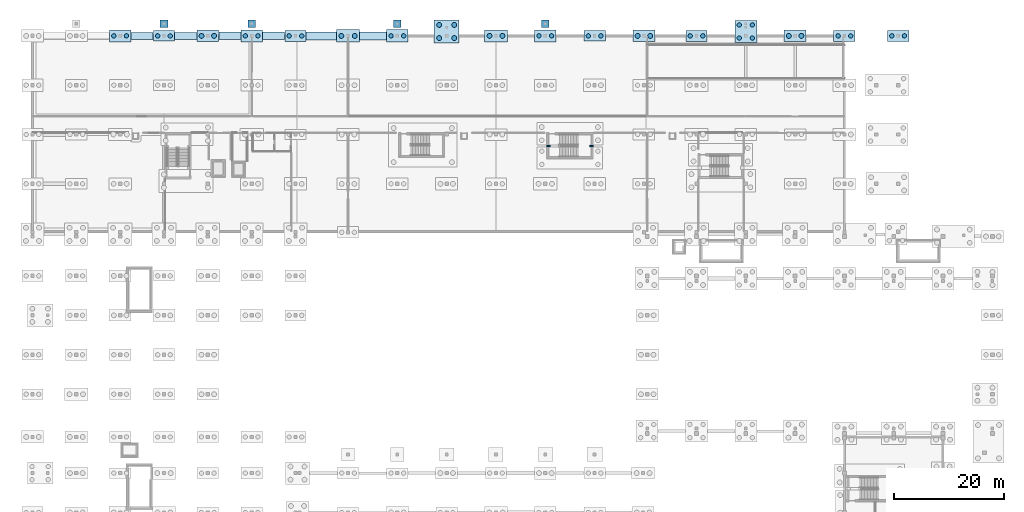
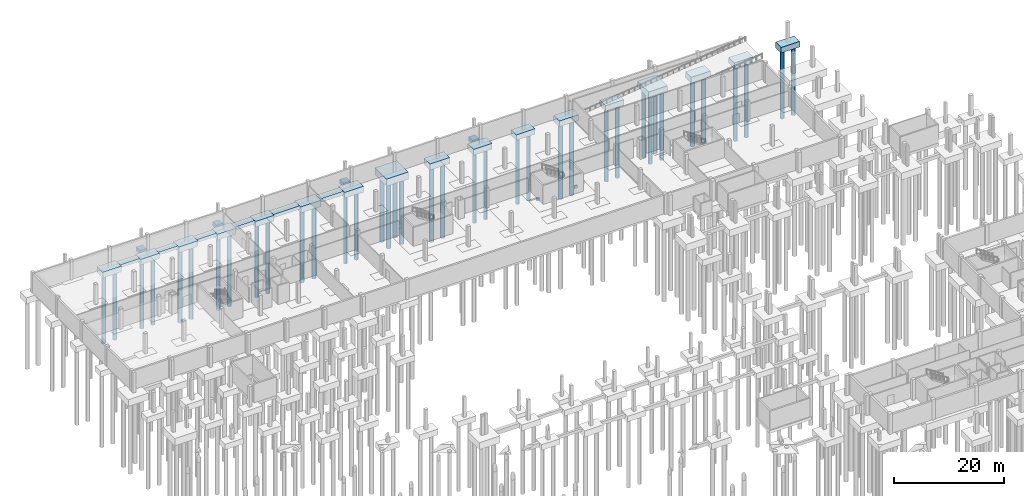
# One storey, part 12 of 36: 38 piles, 29 footings.
"""IFC4 building model written with IfcOpenShell, lengths in metres."""

from ifc_helpers import new_model, si_unit, direction, frame, origin, origin_2d, place, context, subcontext, project, spatial, rectangle, circle, extrude, material, layer, layer_set, material_profile, profile_set, type_object, element, save


model = new_model("IFC4")

# Units and contexts
model_context = context("Model", 3, precision=1e-05, world=origin(), true_north=direction((0.0, 1.0)))
body_context = subcontext(model_context, "Body", "Model", "MODEL_VIEW")
ifc_project = project(units=[si_unit("LENGTHUNIT", "METRE"), si_unit("AREAUNIT", "SQUARE_METRE"), si_unit("VOLUMEUNIT", "CUBIC_METRE"), si_unit("PLANEANGLEUNIT", "RADIAN"), si_unit("MASSUNIT", "GRAM", prefix="KILO")], contexts=[model_context])

# Site, building, storey
site_placement = place(None, origin())
site = spatial("IfcSite", under=ifc_project, at=site_placement, CompositionType="ELEMENT")
building_placement = place(site_placement, origin())
building = spatial("IfcBuilding", under=site, at=building_placement, Name="Chiffa Square Polytechnic", CompositionType="ELEMENT")
storey_placement = place(building_placement, frame((0.0, 0.0, -4.5)))
storey = spatial("IfcBuildingStorey", under=building, at=storey_placement, Name="B1", CompositionType="ELEMENT", Elevation=-4.5)

# Footings
ifc_material = material(Name="Concrete C35/45", Category="concrete")
ifc_layer_1 = layer(ifc_material, 0.89990234375, Name="Concrete C35/45")
ifc_layer_set_1 = layer_set([ifc_layer_1], Name="Concrete C35/45")
footing_type_1 = type_object("IfcFootingType", Name="FTG-PAD-1400X1400X900", PredefinedType="PAD_FOOTING", material=ifc_layer_set_1)
for number, where, z_axis, x_axis, name in (
    (1, (24.0, 133.0, -0.89990234375), (0.0, 0.0, 1.0), (1.0, 0.0, 0.0), "Apron slab support pad footing PF-APR-SUP-05"),
    (2, (40.0, 133.0, -0.89990234375), (0.0, 0.0, 1.0), (1.0, 0.0, 0.0), "Apron slab support pad footing PF-APR-SUP-06"),
    (3, (66.60009765625, 133.0, -0.89990234375), (0.0, 0.0, 1.0), (1.0, 0.0, 0.0), "Apron slab support pad footing PF-APR-SUP-07"),
    (4, (93.60009765625, 133.0, -0.89990234375), (0.0, 0.0, 1.0), (1.0, 0.0, 0.0), "Apron slab support pad footing PF-APR-SUP-08"),
):
    element("IfcFooting", number, at=place(storey_placement, frame(where, z_axis=z_axis, x_axis=x_axis)), inside=storey, type_object=footing_type_1, Name=name, PredefinedType="PAD_FOOTING", context=body_context, shape_type="SweptSolid", body=[
        extrude(rectangle(XDim=1.39990234375, YDim=1.39990234375, at=origin_2d()), origin(), (0.0, 0.0, 1.0), 0.89990234375),
    ])
ifc_layer_2 = layer(ifc_material, 0.60009765625, Name="Concrete C35/45")
ifc_layer_set_2 = layer_set([ifc_layer_2], Name="Concrete C35/45")
footing_type_2 = type_object("IfcFootingType", Name="FTG-PAD-620X310X600", PredefinedType="PAD_FOOTING", material=ifc_layer_set_2)
for number, where, z_axis, x_axis, name in (
    (5, (94.179931640625, 110.72509765625, -0.60009765625), (0.0, 0.0, 1.0), (1.0, 0.0, 0.0), "Core pad footing PFG-CORE-CORE-V5B-W1"),
    (6, (102.02001953125, 110.72509765625, -0.60009765625), (0.0, 0.0, 1.0), (1.0, 0.0, 0.0), "Core pad footing PFG-CORE-CORE-V5B-E1"),
):
    element("IfcFooting", number, at=place(storey_placement, frame(where, z_axis=z_axis, x_axis=x_axis)), inside=storey, type_object=footing_type_2, Name=name, PredefinedType="PAD_FOOTING", context=body_context, shape_type="SweptSolid", body=[
        extrude(rectangle(XDim=0.6201171875, YDim=0.31005859375, at=origin_2d()), origin(), (0.0, 0.0, 1.0), 0.60009765625),
    ])
ifc_layer_3 = layer(ifc_material, 1.199951171875, Name="Concrete C35/45")
ifc_layer_set_3 = layer_set([ifc_layer_3], Name="Concrete C35/45")
footing_type_3 = type_object("IfcFootingType", Name="FTG-PC-3900X1900X1200", PredefinedType="PILE_CAP", material=ifc_layer_set_3)
footing_1_placement = place(storey_placement, frame((102.60009765625, 130.800048828125, -1.2001953125), z_axis=(0.0, 0.0, 1.0), x_axis=(1.0, 0.0, 0.0)))
element("IfcFooting", 7, at=footing_1_placement, inside=storey, type_object=footing_type_3, Name="Pile cap PC-B1-165", PredefinedType="PILE_CAP", context=body_context, shape_type="SweptSolid", body=[
    extrude(rectangle(XDim=3.89990234375, YDim=1.89990234375, at=origin_2d()), origin(), (0.0, 0.0, 1.0), 1.199951171875),
])
ifc_layer_4 = layer(ifc_material, 1.199951171875, Name="Concrete C35/45")
ifc_layer_set_4 = layer_set([ifc_layer_4], Name="Concrete C35/45")
footing_type_4 = type_object("IfcFootingType", Name="FTG-PC-3900X1950X1200", PredefinedType="PILE_CAP", material=ifc_layer_set_4)
footing_2_placement = place(storey_placement, frame((24.0, 130.800048828125, -1.2001953125), z_axis=(0.0, 0.0, 1.0), x_axis=(1.0, 0.0, 0.0)))
element("IfcFooting", 8, at=footing_2_placement, inside=storey, type_object=footing_type_4, Name="Pile cap PC-B1-130", PredefinedType="PILE_CAP", context=body_context, shape_type="SweptSolid", body=[
    extrude(rectangle(XDim=3.89990234375, YDim=1.949951171875, at=origin_2d()), origin(), (0.0, 0.0, 1.0), 1.199951171875),
])
ifc_layer_5 = layer(ifc_material, 1.25, Name="Concrete C35/45")
ifc_layer_set_5 = layer_set([ifc_layer_5], Name="Concrete C35/45")
footing_type_5 = type_object("IfcFootingType", Name="FTG-PC-3900X2000X1250", PredefinedType="PILE_CAP", material=ifc_layer_set_5)
for number, where, z_axis, x_axis, name in (
    (9, (48.0, 130.800048828125, -1.25), (0.0, 0.0, 1.0), (1.0, 0.0, 0.0), "Pile cap PC-B1-143"),
    (10, (158.0, 130.800048828125, -1.25), (0.0, 0.0, 1.0), (1.0, 0.0, 0.0), "Pile cap PC-B1-241"),
):
    element("IfcFooting", number, at=place(storey_placement, frame(where, z_axis=z_axis, x_axis=x_axis)), inside=storey, type_object=footing_type_5, Name=name, PredefinedType="PILE_CAP", context=body_context, shape_type="SweptSolid", body=[
        extrude(rectangle(XDim=3.89990234375, YDim=2.0, at=origin_2d()), origin(), (0.0, 0.0, 1.0), 1.25),
    ])
ifc_layer_6 = layer(ifc_material, 1.219970703125, Name="Concrete C35/45")
ifc_layer_set_6 = layer_set([ifc_layer_6], Name="Concrete C35/45")
footing_type_6 = type_object("IfcFootingType", Name="FTG-PC-3900X2050X1220", PredefinedType="PILE_CAP", material=ifc_layer_set_6)
for number, where, z_axis, x_axis, name in (
    (11, (121.199951171875, 130.800048828125, -1.22021484375), (0.0, 0.0, 1.0), (1.0, 0.0, 0.0), "Pile cap PC-B1-173"),
    (12, (148.199951171875, 130.800048828125, -1.22021484375), (0.0, 0.0, 1.0), (1.0, 0.0, 0.0), "Pile cap PC-B1-184"),
):
    element("IfcFooting", number, at=place(storey_placement, frame(where, z_axis=z_axis, x_axis=x_axis)), inside=storey, type_object=footing_type_6, Name=name, PredefinedType="PILE_CAP", context=body_context, shape_type="SweptSolid", body=[
        extrude(rectangle(XDim=3.89990234375, YDim=2.050048828125, at=origin_2d()), origin(), (0.0, 0.0, 1.0), 1.219970703125),
    ])
ifc_layer_7 = layer(ifc_material, 1.280029296875, Name="Concrete C35/45")
ifc_layer_set_7 = layer_set([ifc_layer_7], Name="Concrete C35/45")
footing_type_7 = type_object("IfcFootingType", Name="FTG-PC-3900X2150X1280", PredefinedType="PILE_CAP", material=ifc_layer_set_7)
for number, where, z_axis, x_axis, name in (
    (13, (16.0, 130.800048828125, -1.27978515625), (0.0, 0.0, 1.0), (1.0, 0.0, 0.0), "Pile cap PC-B1-126"),
    (14, (40.0, 130.800048828125, -1.27978515625), (0.0, 0.0, 1.0), (1.0, 0.0, 0.0), "Pile cap PC-B1-138"),
    (15, (93.60009765625, 130.800048828125, -1.27978515625), (0.0, 0.0, 1.0), (1.0, 0.0, 0.0), "Pile cap PC-B1-162"),
):
    element("IfcFooting", number, at=place(storey_placement, frame(where, z_axis=z_axis, x_axis=x_axis)), inside=storey, type_object=footing_type_7, Name=name, PredefinedType="PILE_CAP", context=body_context, shape_type="SweptSolid", body=[
        extrude(rectangle(XDim=3.89990234375, YDim=2.14990234375, at=origin_2d()), origin(), (0.0, 0.0, 1.0), 1.280029296875),
    ])
ifc_layer_8 = layer(ifc_material, 1.320068359375, Name="Concrete C35/45")
ifc_layer_set_8 = layer_set([ifc_layer_8], Name="Concrete C35/45")
footing_type_8 = type_object("IfcFootingType", Name="FTG-PC-3900X2250X1320", PredefinedType="PILE_CAP", material=ifc_layer_set_8)
footing_3_placement = place(storey_placement, frame((66.60009765625, 130.800048828125, -1.31982421875), z_axis=(0.0, 0.0, 1.0), x_axis=(1.0, 0.0, 0.0)))
element("IfcFooting", 16, at=footing_3_placement, inside=storey, type_object=footing_type_8, Name="Pile cap PC-B1-151", PredefinedType="PILE_CAP", context=body_context, shape_type="SweptSolid", body=[
    extrude(rectangle(XDim=3.89990234375, YDim=2.25, at=origin_2d()), origin(), (0.0, 0.0, 1.0), 1.320068359375),
])
ifc_layer_9 = layer(ifc_material, 1.300048828125, Name="Concrete C35/45")
ifc_layer_set_9 = layer_set([ifc_layer_9], Name="Concrete C35/45")
footing_type_9 = type_object("IfcFootingType", Name="FTG-PC-4000X2100X1300", PredefinedType="PILE_CAP", material=ifc_layer_set_9)
for number, where, z_axis, x_axis, name in (
    (17, (32.0, 130.800048828125, -1.2998046875), (0.0, 0.0, 1.0), (1.0, 0.0, 0.0), "Pile cap PC-B1-133"),
    (18, (111.60009765625, 130.800048828125, -1.2998046875), (0.0, 0.0, 1.0), (1.0, 0.0, 0.0), "Pile cap PC-B1-169"),
    (19, (139.199951171875, 130.800048828125, -1.2998046875), (0.0, 0.0, 1.0), (1.0, 0.0, 0.0), "Pile cap PC-B1-180"),
):
    element("IfcFooting", number, at=place(storey_placement, frame(where, z_axis=z_axis, x_axis=x_axis)), inside=storey, type_object=footing_type_9, Name=name, PredefinedType="PILE_CAP", context=body_context, shape_type="SweptSolid", body=[
        extrude(rectangle(XDim=4.0, YDim=2.10009765625, at=origin_2d()), origin(), (0.0, 0.0, 1.0), 1.300048828125),
    ])
ifc_layer_10 = layer(ifc_material, 1.39990234375, Name="Concrete C35/45")
ifc_layer_set_10 = layer_set([ifc_layer_10], Name="Concrete C35/45")
footing_type_10 = type_object("IfcFootingType", Name="FTG-PC-4000X4000X1400", PredefinedType="PILE_CAP", material=ifc_layer_set_10)
footing_4_placement = place(storey_placement, frame((130.199951171875, 131.60009765625, -1.39990234375), z_axis=(0.0, 0.0, 1.0), x_axis=(1.0, 0.0, 0.0)))
element("IfcFooting", 20, at=footing_4_placement, inside=storey, type_object=footing_type_10, Name="Pile cap PC-B1-176", PredefinedType="PILE_CAP", context=body_context, shape_type="SweptSolid", body=[
    extrude(rectangle(XDim=4.0, YDim=4.0, at=origin_2d()), origin(), (0.0, 0.0, 1.0), 1.39990234375),
])
ifc_layer_11 = layer(ifc_material, 1.35009765625, Name="Concrete C35/45")
ifc_layer_set_11 = layer_set([ifc_layer_11], Name="Concrete C35/45")
footing_type_11 = type_object("IfcFootingType", Name="FTG-PC-4150X2200X1350", PredefinedType="PILE_CAP", material=ifc_layer_set_11)
footing_5_placement = place(storey_placement, frame((84.60009765625, 130.800048828125, -1.35009765625), z_axis=(0.0, 0.0, 1.0), x_axis=(1.0, 0.0, 0.0)))
element("IfcFooting", 21, at=footing_5_placement, inside=storey, type_object=footing_type_11, Name="Pile cap PC-B1-159", PredefinedType="PILE_CAP", context=body_context, shape_type="SweptSolid", body=[
    extrude(rectangle(XDim=4.14990234375, YDim=2.199951171875, at=origin_2d()), origin(), (0.0, 0.0, 1.0), 1.35009765625),
])
ifc_layer_12 = layer(ifc_material, 1.35009765625, Name="Concrete C35/45")
ifc_layer_set_12 = layer_set([ifc_layer_12], Name="Concrete C35/45")
footing_type_12 = type_object("IfcFootingType", Name="FTG-PC-4250X2250X1350", PredefinedType="PILE_CAP", material=ifc_layer_set_12)
footing_6_placement = place(storey_placement, frame((57.60009765625, 130.800048828125, -1.35009765625), z_axis=(0.0, 0.0, 1.0), x_axis=(1.0, 0.0, 0.0)))
element("IfcFooting", 22, at=footing_6_placement, inside=storey, type_object=footing_type_12, Name="Pile cap PC-B1-148", PredefinedType="PILE_CAP", context=body_context, shape_type="SweptSolid", body=[
    extrude(rectangle(XDim=4.25, YDim=2.25, at=origin_2d()), origin(), (0.0, 0.0, 1.0), 1.35009765625),
])
ifc_layer_13 = layer(ifc_material, 1.60009765625, Name="Concrete C35/45")
ifc_layer_set_13 = layer_set([ifc_layer_13], Name="Concrete C35/45")
footing_type_13 = type_object("IfcFootingType", Name="FTG-PC-4550X4200X1600", PredefinedType="PILE_CAP", material=ifc_layer_set_13)
footing_7_placement = place(storey_placement, frame((75.60009765625, 131.60009765625, -1.60009765625), z_axis=(0.0, 0.0, 1.0), x_axis=(1.0, 0.0, 0.0)))
element("IfcFooting", 23, at=footing_7_placement, inside=storey, type_object=footing_type_13, Name="Pile cap PC-B1-155", PredefinedType="PILE_CAP", context=body_context, shape_type="SweptSolid", body=[
    extrude(rectangle(XDim=4.550048828125, YDim=4.199951171875, at=origin_2d()), origin(), (0.0, 0.0, 1.0), 1.60009765625),
])
ifc_layer_14 = layer(ifc_material, 0.6298828125, Name="Concrete C35/45")
ifc_layer_set_14 = layer_set([ifc_layer_14], Name="Concrete C35/45")
footing_type_14 = type_object("IfcFootingType", Name="FTG-STRIP-1250X630", PredefinedType="STRIP_FOOTING", material=ifc_layer_set_14)
footing_8_placement = place(storey_placement, frame((20.0, 130.800048828125, -0.6298828125), z_axis=(0.0, 0.0, 1.0), x_axis=(1.0, 0.0, 0.0)))
element("IfcFooting", 24, at=footing_8_placement, inside=storey, type_object=footing_type_14, Name="Retaining wall strip footing SFG-B1-03", PredefinedType="STRIP_FOOTING", context=body_context, shape_type="SweptSolid", body=[
    extrude(rectangle(XDim=4.090087890625, YDim=1.25, at=origin_2d()), origin(), (0.0, 0.0, 1.0), 0.6298828125),
])
ifc_layer_15 = layer(ifc_material, 0.655029296875, Name="Concrete C35/45")
ifc_layer_set_15 = layer_set([ifc_layer_15], Name="Concrete C35/45")
footing_type_15 = type_object("IfcFootingType", Name="FTG-STRIP-1300X655", PredefinedType="STRIP_FOOTING", material=ifc_layer_set_15)
footing_9_placement = place(storey_placement, frame((27.97509765625, 130.800048828125, -0.654296875), z_axis=(0.0, 0.0, 1.0), x_axis=(1.0, 0.0, 0.0)))
element("IfcFooting", 25, at=footing_9_placement, inside=storey, type_object=footing_type_15, Name="Retaining wall strip footing SFG-B1-04", PredefinedType="STRIP_FOOTING", context=body_context, shape_type="SweptSolid", body=[
    extrude(rectangle(XDim=4.0400390625, YDim=1.300048828125, at=origin_2d()), origin(), (0.0, 0.0, 1.0), 0.655029296875),
])
ifc_layer_16 = layer(ifc_material, 0.679931640625, Name="Concrete C35/45")
ifc_layer_set_16 = layer_set([ifc_layer_16], Name="Concrete C35/45")
footing_type_16 = type_object("IfcFootingType", Name="FTG-STRIP-1350X680", PredefinedType="STRIP_FOOTING", material=ifc_layer_set_16)
footing_10_placement = place(storey_placement, frame((36.02490234375, 130.800048828125, -0.68017578125), z_axis=(0.0, 0.0, 1.0), x_axis=(1.0, 0.0, 0.0)))
element("IfcFooting", 26, at=footing_10_placement, inside=storey, type_object=footing_type_16, Name="Retaining wall strip footing SFG-B1-05", PredefinedType="STRIP_FOOTING", context=body_context, shape_type="SweptSolid", body=[
    extrude(rectangle(XDim=4.0400390625, YDim=1.35009765625, at=origin_2d()), origin(), (0.0, 0.0, 1.0), 0.679931640625),
])
ifc_layer_17 = layer(ifc_material, 0.705078125, Name="Concrete C35/45")
ifc_layer_set_17 = layer_set([ifc_layer_17], Name="Concrete C35/45")
footing_type_17 = type_object("IfcFootingType", Name="FTG-STRIP-1400X705", PredefinedType="STRIP_FOOTING", material=ifc_layer_set_17)
footing_11_placement = place(storey_placement, frame((44.0, 130.800048828125, -0.70556640625), z_axis=(0.0, 0.0, 1.0), x_axis=(1.0, 0.0, 0.0)))
element("IfcFooting", 27, at=footing_11_placement, inside=storey, type_object=footing_type_17, Name="Retaining wall strip footing SFG-B1-06", PredefinedType="STRIP_FOOTING", context=body_context, shape_type="SweptSolid", body=[
    extrude(rectangle(XDim=4.090087890625, YDim=1.39990234375, at=origin_2d()), origin(), (0.0, 0.0, 1.0), 0.705078125),
])
ifc_layer_18 = layer(ifc_material, 0.72998046875, Name="Concrete C35/45")
ifc_layer_set_18 = layer_set([ifc_layer_18], Name="Concrete C35/45")
footing_type_18 = type_object("IfcFootingType", Name="FTG-STRIP-1450X730", PredefinedType="STRIP_FOOTING", material=ifc_layer_set_18)
footing_12_placement = place(storey_placement, frame((52.7119140625, 130.800048828125, -0.72998046875), z_axis=(0.0, 0.0, 1.0), x_axis=(1.0, 0.0, 0.0)))
element("IfcFooting", 28, at=footing_12_placement, inside=storey, type_object=footing_type_18, Name="Retaining wall strip footing SFG-B1-07", PredefinedType="STRIP_FOOTING", context=body_context, shape_type="SweptSolid", body=[
    extrude(rectangle(XDim=5.514892578125, YDim=1.449951171875, at=origin_2d()), origin(), (0.0, 0.0, 1.0), 0.72998046875),
])
ifc_layer_19 = layer(ifc_material, 0.7548828125, Name="Concrete C35/45")
ifc_layer_set_19 = layer_set([ifc_layer_19], Name="Concrete C35/45")
footing_type_19 = type_object("IfcFootingType", Name="FTG-STRIP-1500X755", PredefinedType="STRIP_FOOTING", material=ifc_layer_set_19)
footing_13_placement = place(storey_placement, frame((62.18798828125, 130.800048828125, -0.75537109375), z_axis=(0.0, 0.0, 1.0), x_axis=(1.0, 0.0, 0.0)))
element("IfcFooting", 29, at=footing_13_placement, inside=storey, type_object=footing_type_19, Name="Retaining wall strip footing SFG-B1-08", PredefinedType="STRIP_FOOTING", context=body_context, shape_type="SweptSolid", body=[
    extrude(rectangle(XDim=4.9150390625, YDim=1.5, at=origin_2d()), origin(), (0.0, 0.0, 1.0), 0.7548828125),
])

# Piles
ifc_material_profile_1 = material_profile(ifc_material, circle(Radius=0.39990234375, at=origin_2d()), Name="PILE D800")
ifc_profile_set_1 = profile_set([ifc_material_profile_1], Name="Concrete C35/45")
pile_type_1 = type_object("IfcPileType", Name="PILE-D800", PredefinedType="BORED", material=ifc_profile_set_1)
for number, where, z_axis, x_axis, name in (
    (30, (14.85009765625, 130.800048828125, -1.179931640625), (0.0, 0.0, -1.0), (1.0, 0.0, 0.0), "Bored pile PL-B1-0148-1308-1"),
    (31, (17.14990234375, 130.800048828125, -1.179931640625), (0.0, 0.0, -1.0), (1.0, 0.0, 0.0), "Bored pile PL-B1-0172-1308-2"),
):
    element("IfcPile", number, at=place(storey_placement, frame(where, z_axis=z_axis, x_axis=x_axis)), inside=storey, type_object=pile_type_1, Name=name, PredefinedType="BORED", context=body_context, shape_type="SweptSolid", body=[
        extrude(circle(Radius=0.39990234375, at=origin_2d()), origin(), (0.0, 0.0, 1.0), 15.320068359375),
    ])
for number, where, z_axis, x_axis, name in (
    (32, (22.85009765625, 130.800048828125, -1.10009765625), (0.0, 0.0, -1.0), (1.0, 0.0, 0.0), "Bored pile PL-B1-0228-1308-1"),
    (33, (25.14990234375, 130.800048828125, -1.10009765625), (0.0, 0.0, -1.0), (1.0, 0.0, 0.0), "Bored pile PL-B1-0252-1308-2"),
):
    element("IfcPile", number, at=place(storey_placement, frame(where, z_axis=z_axis, x_axis=x_axis)), inside=storey, type_object=pile_type_1, Name=name, PredefinedType="BORED", context=body_context, shape_type="SweptSolid", body=[
        extrude(circle(Radius=0.39990234375, at=origin_2d()), origin(), (0.0, 0.0, 1.0), 14.89990234375),
    ])
for number, where, z_axis, x_axis, name in (
    (34, (38.85009765625, 130.800048828125, -1.179931640625), (0.0, 0.0, -1.0), (1.0, 0.0, 0.0), "Bored pile PL-B1-0388-1308-1"),
    (35, (41.14990234375, 130.800048828125, -1.179931640625), (0.0, 0.0, -1.0), (1.0, 0.0, 0.0), "Bored pile PL-B1-0412-1308-2"),
):
    element("IfcPile", number, at=place(storey_placement, frame(where, z_axis=z_axis, x_axis=x_axis)), inside=storey, type_object=pile_type_1, Name=name, PredefinedType="BORED", context=body_context, shape_type="SweptSolid", body=[
        extrude(circle(Radius=0.39990234375, at=origin_2d()), origin(), (0.0, 0.0, 1.0), 16.320068359375),
    ])
for number, where, z_axis, x_axis, name in (
    (36, (46.85009765625, 130.800048828125, -1.14990234375), (0.0, 0.0, -1.0), (1.0, 0.0, 0.0), "Bored pile PL-B1-0468-1308-1"),
    (37, (49.14990234375, 130.800048828125, -1.14990234375), (0.0, 0.0, -1.0), (1.0, 0.0, 0.0), "Bored pile PL-B1-0492-1308-2"),
):
    element("IfcPile", number, at=place(storey_placement, frame(where, z_axis=z_axis, x_axis=x_axis)), inside=storey, type_object=pile_type_1, Name=name, PredefinedType="BORED", context=body_context, shape_type="SweptSolid", body=[
        extrude(circle(Radius=0.39990234375, at=origin_2d()), origin(), (0.0, 0.0, 1.0), 16.35009765625),
    ])
for number, where, z_axis, x_axis, name in (
    (38, (65.449951171875, 130.800048828125, -1.219970703125), (0.0, 0.0, -1.0), (1.0, 0.0, 0.0), "Bored pile PL-B1-0654-1308-1"),
    (39, (67.75, 130.800048828125, -1.219970703125), (0.0, 0.0, -1.0), (1.0, 0.0, 0.0), "Bored pile PL-B1-0678-1308-2"),
):
    element("IfcPile", number, at=place(storey_placement, frame(where, z_axis=z_axis, x_axis=x_axis)), inside=storey, type_object=pile_type_1, Name=name, PredefinedType="BORED", context=body_context, shape_type="SweptSolid", body=[
        extrude(circle(Radius=0.39990234375, at=origin_2d()), origin(), (0.0, 0.0, 1.0), 15.280029296875),
    ])
for number, where, z_axis, x_axis, name in (
    (40, (92.449951171875, 130.800048828125, -1.179931640625), (0.0, 0.0, -1.0), (1.0, 0.0, 0.0), "Bored pile PL-B1-0924-1308-1"),
    (41, (94.75, 130.800048828125, -1.179931640625), (0.0, 0.0, -1.0), (1.0, 0.0, 0.0), "Bored pile PL-B1-0948-1308-2"),
):
    element("IfcPile", number, at=place(storey_placement, frame(where, z_axis=z_axis, x_axis=x_axis)), inside=storey, type_object=pile_type_1, Name=name, PredefinedType="BORED", context=body_context, shape_type="SweptSolid", body=[
        extrude(circle(Radius=0.39990234375, at=origin_2d()), origin(), (0.0, 0.0, 1.0), 15.820068359375),
    ])
for number, where, z_axis, x_axis, name in (
    (42, (101.449951171875, 130.800048828125, -1.10009765625), (0.0, 0.0, -1.0), (1.0, 0.0, 0.0), "Bored pile PL-B1-1014-1308-1"),
    (43, (103.75, 130.800048828125, -1.10009765625), (0.0, 0.0, -1.0), (1.0, 0.0, 0.0), "Bored pile PL-B1-1038-1308-2"),
):
    element("IfcPile", number, at=place(storey_placement, frame(where, z_axis=z_axis, x_axis=x_axis)), inside=storey, type_object=pile_type_1, Name=name, PredefinedType="BORED", context=body_context, shape_type="SweptSolid", body=[
        extrude(circle(Radius=0.39990234375, at=origin_2d()), origin(), (0.0, 0.0, 1.0), 14.89990234375),
    ])
for number, where, z_axis, x_axis, name in (
    (44, (120.050048828125, 130.800048828125, -1.1201171875), (0.0, 0.0, -1.0), (1.0, 0.0, 0.0), "Bored pile PL-B1-1200-1308-1"),
    (45, (122.35009765625, 130.800048828125, -1.1201171875), (0.0, 0.0, -1.0), (1.0, 0.0, 0.0), "Bored pile PL-B1-1224-1308-2"),
):
    element("IfcPile", number, at=place(storey_placement, frame(where, z_axis=z_axis, x_axis=x_axis)), inside=storey, type_object=pile_type_1, Name=name, PredefinedType="BORED", context=body_context, shape_type="SweptSolid", body=[
        extrude(circle(Radius=0.39990234375, at=origin_2d()), origin(), (0.0, 0.0, 1.0), 16.3798828125),
    ])
for number, where, z_axis, x_axis, name in (
    (46, (129.0, 130.39990234375, -1.300048828125), (0.0, 0.0, -1.0), (1.0, 0.0, 0.0), "Bored pile PL-B1-1290-1304-1"),
    (47, (131.39990234375, 130.39990234375, -1.300048828125), (0.0, 0.0, -1.0), (1.0, 0.0, 0.0), "Bored pile PL-B1-1314-1304-2"),
    (48, (129.0, 132.800048828125, -1.300048828125), (0.0, 0.0, -1.0), (1.0, 0.0, 0.0), "Bored pile PL-B1-1290-1328-3"),
    (49, (131.39990234375, 132.800048828125, -1.300048828125), (0.0, 0.0, -1.0), (1.0, 0.0, 0.0), "Bored pile PL-B1-1314-1328-4"),
):
    element("IfcPile", number, at=place(storey_placement, frame(where, z_axis=z_axis, x_axis=x_axis)), inside=storey, type_object=pile_type_1, Name=name, PredefinedType="BORED", context=body_context, shape_type="SweptSolid", body=[
        extrude(circle(Radius=0.39990234375, at=origin_2d()), origin(), (0.0, 0.0, 1.0), 15.199951171875),
    ])
for number, where, z_axis, x_axis, name in (
    (50, (147.050048828125, 130.800048828125, -1.1201171875), (0.0, 0.0, -1.0), (1.0, 0.0, 0.0), "Bored pile PL-B1-1470-1308-1"),
    (51, (149.35009765625, 130.800048828125, -1.1201171875), (0.0, 0.0, -1.0), (1.0, 0.0, 0.0), "Bored pile PL-B1-1494-1308-2"),
):
    element("IfcPile", number, at=place(storey_placement, frame(where, z_axis=z_axis, x_axis=x_axis)), inside=storey, type_object=pile_type_1, Name=name, PredefinedType="BORED", context=body_context, shape_type="SweptSolid", body=[
        extrude(circle(Radius=0.39990234375, at=origin_2d()), origin(), (0.0, 0.0, 1.0), 16.8798828125),
    ])
for number, where, z_axis, x_axis, name in (
    (52, (156.85009765625, 130.800048828125, -1.14990234375), (0.0, 0.0, -1.0), (1.0, 0.0, 0.0), "Bored pile PL-B1-1568-1308-1"),
    (53, (159.14990234375, 130.800048828125, -1.14990234375), (0.0, 0.0, -1.0), (1.0, 0.0, 0.0), "Bored pile PL-B1-1592-1308-2"),
):
    element("IfcPile", number, at=place(storey_placement, frame(where, z_axis=z_axis, x_axis=x_axis)), inside=storey, type_object=pile_type_1, Name=name, PredefinedType="BORED", context=body_context, shape_type="SweptSolid", body=[
        extrude(circle(Radius=0.39990234375, at=origin_2d()), origin(), (0.0, 0.0, 1.0), 15.35009765625),
    ])
ifc_material_profile_2 = material_profile(ifc_material, circle(Radius=0.449951171875, at=origin_2d()), Name="PILE D900")
ifc_profile_set_2 = profile_set([ifc_material_profile_2], Name="Concrete C35/45")
pile_type_2 = type_object("IfcPileType", Name="PILE-D900", PredefinedType="BORED", material=ifc_profile_set_2)
for number, where, z_axis, x_axis, name in (
    (54, (30.85009765625, 130.800048828125, -1.199951171875), (0.0, 0.0, -1.0), (1.0, 0.0, 0.0), "Bored pile PL-B1-0308-1308-1"),
    (55, (33.14990234375, 130.800048828125, -1.199951171875), (0.0, 0.0, -1.0), (1.0, 0.0, 0.0), "Bored pile PL-B1-0332-1308-2"),
):
    element("IfcPile", number, at=place(storey_placement, frame(where, z_axis=z_axis, x_axis=x_axis)), inside=storey, type_object=pile_type_2, Name=name, PredefinedType="BORED", context=body_context, shape_type="SweptSolid", body=[
        extrude(circle(Radius=0.449951171875, at=origin_2d()), origin(), (0.0, 0.0, 1.0), 16.300048828125),
    ])
for number, where, z_axis, x_axis, name in (
    (56, (56.375, 130.800048828125, -1.25), (0.0, 0.0, -1.0), (1.0, 0.0, 0.0), "Bored pile PL-B1-0564-1308-1"),
    (57, (58.824951171875, 130.800048828125, -1.25), (0.0, 0.0, -1.0), (1.0, 0.0, 0.0), "Bored pile PL-B1-0588-1308-2"),
):
    element("IfcPile", number, at=place(storey_placement, frame(where, z_axis=z_axis, x_axis=x_axis)), inside=storey, type_object=pile_type_2, Name=name, PredefinedType="BORED", context=body_context, shape_type="SweptSolid", body=[
        extrude(circle(Radius=0.449951171875, at=origin_2d()), origin(), (0.0, 0.0, 1.0), 16.25),
    ])
for number, where, z_axis, x_axis, name in (
    (58, (74.22509765625, 130.39990234375, -1.5), (0.0, 0.0, -1.0), (1.0, 0.0, 0.0), "Bored pile PL-B1-0742-1304-1"),
    (59, (76.97509765625, 130.39990234375, -1.5), (0.0, 0.0, -1.0), (1.0, 0.0, 0.0), "Bored pile PL-B1-0770-1304-2"),
    (60, (74.22509765625, 132.800048828125, -1.5), (0.0, 0.0, -1.0), (1.0, 0.0, 0.0), "Bored pile PL-B1-0742-1328-3"),
    (61, (76.97509765625, 132.800048828125, -1.5), (0.0, 0.0, -1.0), (1.0, 0.0, 0.0), "Bored pile PL-B1-0770-1328-4"),
):
    element("IfcPile", number, at=place(storey_placement, frame(where, z_axis=z_axis, x_axis=x_axis)), inside=storey, type_object=pile_type_2, Name=name, PredefinedType="BORED", context=body_context, shape_type="SweptSolid", body=[
        extrude(circle(Radius=0.449951171875, at=origin_2d()), origin(), (0.0, 0.0, 1.0), 14.5),
    ])
for number, where, z_axis, x_axis, name in (
    (62, (83.425048828125, 130.800048828125, -1.25), (0.0, 0.0, -1.0), (1.0, 0.0, 0.0), "Bored pile PL-B1-0834-1308-1"),
    (63, (85.77490234375, 130.800048828125, -1.25), (0.0, 0.0, -1.0), (1.0, 0.0, 0.0), "Bored pile PL-B1-0858-1308-2"),
):
    element("IfcPile", number, at=place(storey_placement, frame(where, z_axis=z_axis, x_axis=x_axis)), inside=storey, type_object=pile_type_2, Name=name, PredefinedType="BORED", context=body_context, shape_type="SweptSolid", body=[
        extrude(circle(Radius=0.449951171875, at=origin_2d()), origin(), (0.0, 0.0, 1.0), 16.75),
    ])
for number, where, z_axis, x_axis, name in (
    (64, (110.449951171875, 130.800048828125, -1.199951171875), (0.0, 0.0, -1.0), (1.0, 0.0, 0.0), "Bored pile PL-B1-1104-1308-1"),
    (65, (112.75, 130.800048828125, -1.199951171875), (0.0, 0.0, -1.0), (1.0, 0.0, 0.0), "Bored pile PL-B1-1128-1308-2"),
):
    element("IfcPile", number, at=place(storey_placement, frame(where, z_axis=z_axis, x_axis=x_axis)), inside=storey, type_object=pile_type_2, Name=name, PredefinedType="BORED", context=body_context, shape_type="SweptSolid", body=[
        extrude(circle(Radius=0.449951171875, at=origin_2d()), origin(), (0.0, 0.0, 1.0), 16.800048828125),
    ])
for number, where, z_axis, x_axis, name in (
    (66, (138.050048828125, 130.800048828125, -1.199951171875), (0.0, 0.0, -1.0), (1.0, 0.0, 0.0), "Bored pile PL-B1-1380-1308-1"),
    (67, (140.35009765625, 130.800048828125, -1.199951171875), (0.0, 0.0, -1.0), (1.0, 0.0, 0.0), "Bored pile PL-B1-1404-1308-2"),
):
    element("IfcPile", number, at=place(storey_placement, frame(where, z_axis=z_axis, x_axis=x_axis)), inside=storey, type_object=pile_type_2, Name=name, PredefinedType="BORED", context=body_context, shape_type="SweptSolid", body=[
        extrude(circle(Radius=0.449951171875, at=origin_2d()), origin(), (0.0, 0.0, 1.0), 14.800048828125),
    ])

save(model, "model.ifc")
